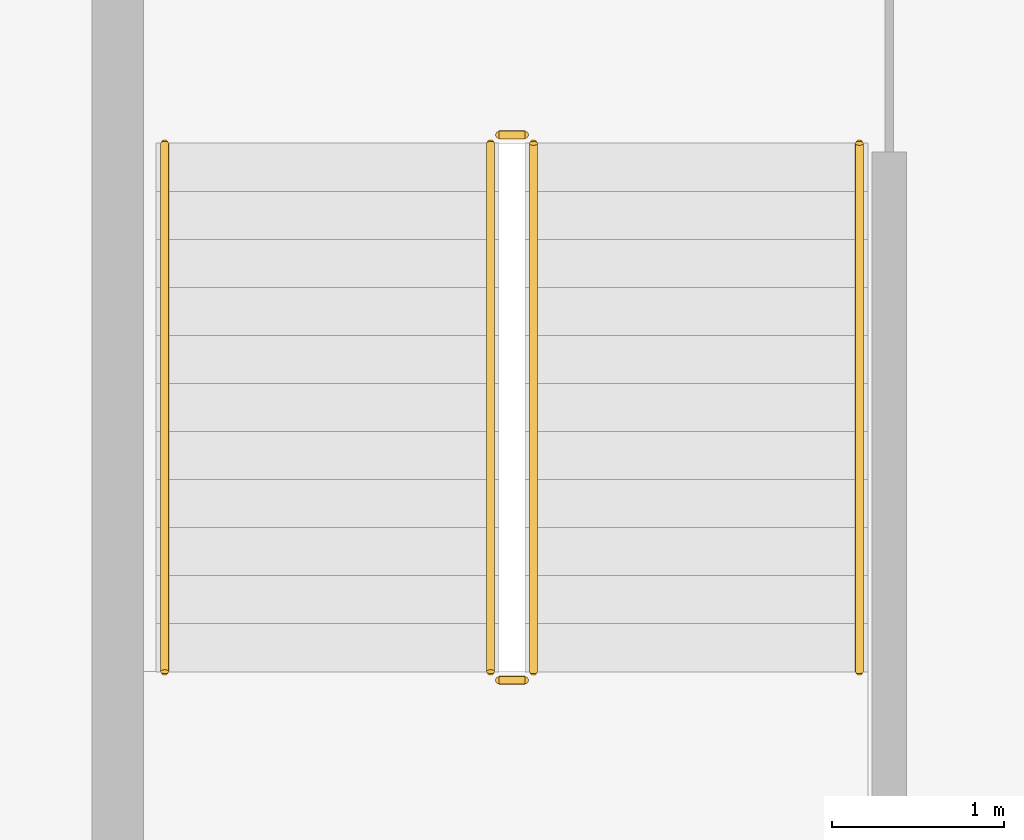
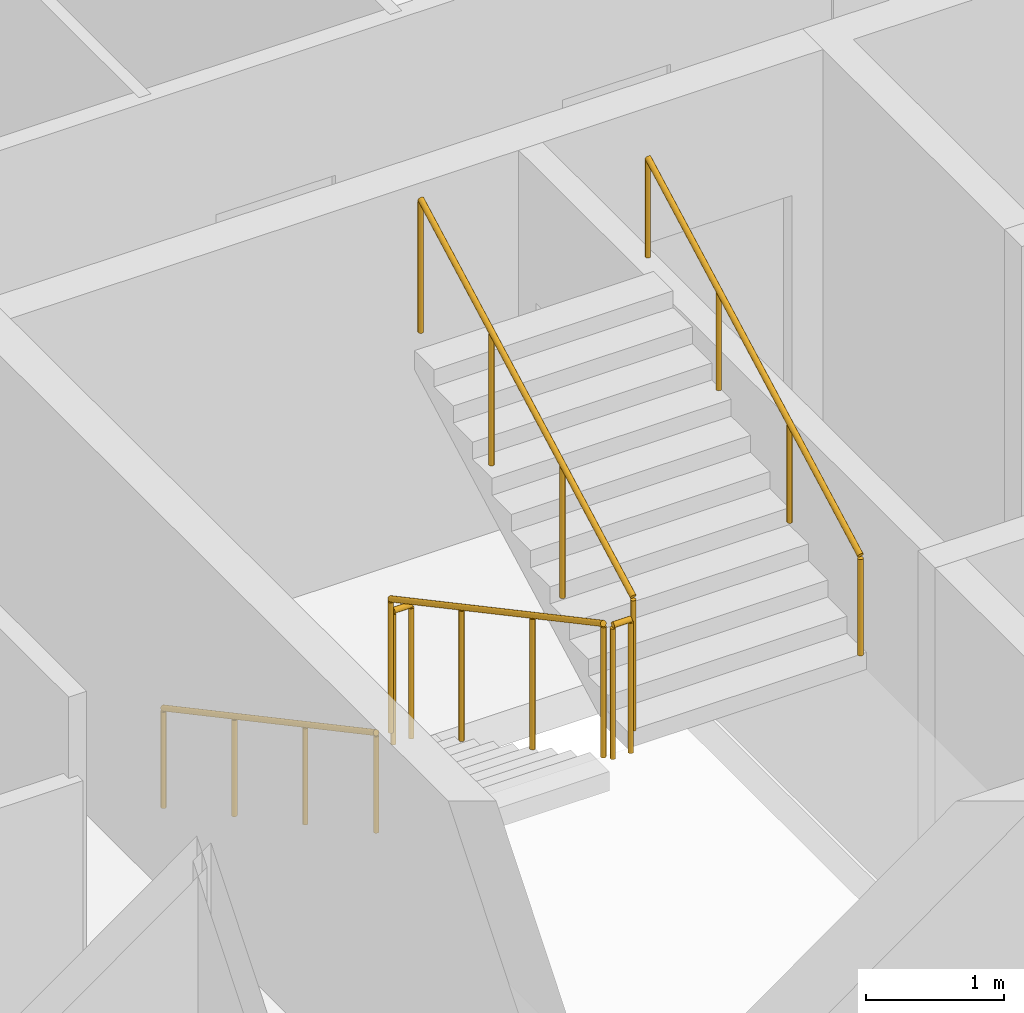
# One storey, part 12 of 14: 6 railings.
"""IFC4 building model written with IfcOpenShell, lengths in metres."""

from ifc_helpers import new_model, si_unit, direction, frame, origin, origin_2d, place, context, subcontext, project, spatial, circle, extrude, material, type_object, element, save


model = new_model("IFC4")

# Units and contexts
model_context = context("Model", 3, precision=1e-05, world=origin(), true_north=direction((0.0, 1.0)))
body_context = subcontext(model_context, "Body", "Model", "MODEL_VIEW")
ifc_project = project(units=[si_unit("LENGTHUNIT", "METRE"), si_unit("AREAUNIT", "SQUARE_METRE"), si_unit("VOLUMEUNIT", "CUBIC_METRE"), si_unit("PLANEANGLEUNIT", "RADIAN"), si_unit("MASSUNIT", "GRAM", prefix="KILO")], contexts=[model_context])

# Site, building, storey
site_placement = place(None, origin())
site = spatial("IfcSite", under=ifc_project, at=site_placement, CompositionType="ELEMENT")
building_placement = place(site_placement, origin())
building = spatial("IfcBuilding", under=site, at=building_placement, Name="Caravel Reach Hotel and Residences", CompositionType="ELEMENT")
storey_placement = place(building_placement, frame((0.0, 0.0, 67.199951171875)))
storey = spatial("IfcBuildingStorey", under=building, at=storey_placement, Name="L15", CompositionType="ELEMENT", Elevation=67.199951171875)

# Railings
ifc_material_1 = material(Name="Steel balustrade with glass infill", Category="steel")
railing_type_1 = type_object("IfcRailingType", Name="Guard 1200", PredefinedType="GUARDRAIL", material=ifc_material_1)
railing_1_placement = place(storey_placement, frame((20.175048828125, 29.35009765625, 0.150146484375)))
element("IfcRailing", 1, at=railing_1_placement, inside=storey, type_object=railing_type_1, Name="L15 ST-A stair guard 1", PredefinedType="GUARDRAIL", context=body_context, shape_type="SweptSolid", body=[
    extrude(circle(Radius=0.02392578125, at=origin_2d()), frame((0.0, 0.0, 1.17578125), z_axis=(0.0, -0.881496589024, 0.472190389079), x_axis=(1.0, 0.0, 0.0)), (0.0, 0.0, 1.0), 3.494140625),
    extrude(circle(Radius=0.02099609375, at=origin_2d()), origin(), (0.0, 0.0, 1.0), 1.15185546875),
    extrude(circle(Radius=0.02099609375, at=origin_2d()), frame((0.0, -1.026611328125, 0.550048828125)), (0.0, 0.0, 1.0), 1.15185546875),
    extrude(circle(Radius=0.02099609375, at=origin_2d()), frame((0.0, -2.053466796875, 1.099853515625)), (0.0, 0.0, 1.0), 1.15185546875),
    extrude(circle(Radius=0.02099609375, at=origin_2d()), frame((0.0, -3.080078125, 1.64990234375)), (0.0, 0.0, 1.0), 1.15185546875),
])
railing_2_placement = place(storey_placement, frame((20.22509765625, 26.219970703125, 1.800048828125)))
element("IfcRailing", 2, at=railing_2_placement, inside=storey, type_object=railing_type_1, Name="L15 ST-A stair guard 2", PredefinedType="GUARDRAIL", context=body_context, shape_type="SweptSolid", body=[
    extrude(circle(Radius=0.02392578125, at=origin_2d()), frame((0.0, 0.0, 1.17578125), z_axis=(1.0, 0.0, 0.0), x_axis=(0.0, 1.0, 0.0)), (0.0, 0.0, 1.0), 0.14990234375),
    extrude(circle(Radius=0.02099609375, at=origin_2d()), origin(), (0.0, 0.0, 1.0), 1.15185546875),
    extrude(circle(Radius=0.02099609375, at=origin_2d()), frame((0.14990234375, 0.0, 0.0)), (0.0, 0.0, 1.0), 1.15185546875),
])
railing_3_placement = place(storey_placement, frame((20.425048828125, 26.27001953125, 1.949951171875)))
element("IfcRailing", 3, at=railing_3_placement, inside=storey, type_object=railing_type_1, Name="L15 ST-A stair guard 3", PredefinedType="GUARDRAIL", context=body_context, shape_type="SweptSolid", body=[
    extrude(circle(Radius=0.02392578125, at=origin_2d()), frame((0.0, 0.0, 1.17578125), z_axis=(0.0, 0.881467505477, 0.472244678941), x_axis=(-1.0, 0.0, 0.0)), (0.0, 0.0, 1.0), 3.494140625),
    extrude(circle(Radius=0.02099609375, at=origin_2d()), origin(), (0.0, 0.0, 1.0), 1.15185546875),
    extrude(circle(Radius=0.02099609375, at=origin_2d()), frame((0.0, 1.026611328125, 0.550048828125)), (0.0, 0.0, 1.0), 1.15185546875),
    extrude(circle(Radius=0.02099609375, at=origin_2d()), frame((0.0, 2.053466796875, 1.10009765625)), (0.0, 0.0, 1.0), 1.15185546875),
    extrude(circle(Radius=0.02099609375, at=origin_2d()), frame((0.0, 3.080078125, 1.650146484375)), (0.0, 0.0, 1.0), 1.15185546875),
])
railing_4_placement = place(storey_placement, frame((20.22509765625, 29.39990234375, 0.0)))
element("IfcRailing", 4, at=railing_4_placement, inside=storey, type_object=railing_type_1, Name="L15 ST-A stair guard 4", PredefinedType="GUARDRAIL", context=body_context, shape_type="SweptSolid", body=[
    extrude(circle(Radius=0.02392578125, at=origin_2d()), frame((0.0, 0.0, 1.17578125), z_axis=(1.0, 0.0, 0.0), x_axis=(0.0, 1.0, 0.0)), (0.0, 0.0, 1.0), 0.14990234375),
    extrude(circle(Radius=0.02099609375, at=origin_2d()), origin(), (0.0, 0.0, 1.0), 1.15185546875),
    extrude(circle(Radius=0.02099609375, at=origin_2d()), frame((0.14990234375, 0.0, 0.0)), (0.0, 0.0, 1.0), 1.15185546875),
])
ifc_material_2 = material(Name="Stainless steel handrail", Category="steel")
railing_type_2 = type_object("IfcRailingType", Name="Handrail 900", PredefinedType="HANDRAIL", material=ifc_material_2)
railing_5_placement = place(storey_placement, frame((18.27490234375, 29.35009765625, 0.150146484375)))
element("IfcRailing", 5, at=railing_5_placement, inside=storey, type_object=railing_type_2, Name="L15 ST-A stair handrail 1", PredefinedType="HANDRAIL", context=body_context, shape_type="SweptSolid", body=[
    extrude(circle(Radius=0.02392578125, at=origin_2d()), frame((0.0, 0.0, 0.8759765625), z_axis=(0.0, -0.881496589024, 0.472190389079), x_axis=(1.0, 0.0, 0.0)), (0.0, 0.0, 1.0), 3.494140625),
    extrude(circle(Radius=0.02099609375, at=origin_2d()), origin(), (0.0, 0.0, 1.0), 0.851806640625),
    extrude(circle(Radius=0.02099609375, at=origin_2d()), frame((0.0, -1.026611328125, 0.550048828125)), (0.0, 0.0, 1.0), 0.851806640625),
    extrude(circle(Radius=0.02099609375, at=origin_2d()), frame((0.0, -2.053466796875, 1.099853515625)), (0.0, 0.0, 1.0), 0.851806640625),
    extrude(circle(Radius=0.02099609375, at=origin_2d()), frame((0.0, -3.080078125, 1.64990234375)), (0.0, 0.0, 1.0), 0.851806640625),
])
railing_6_placement = place(storey_placement, frame((22.324951171875, 26.27001953125, 1.949951171875)))
element("IfcRailing", 6, at=railing_6_placement, inside=storey, type_object=railing_type_2, Name="L15 ST-A stair handrail 2", PredefinedType="HANDRAIL", context=body_context, shape_type="SweptSolid", body=[
    extrude(circle(Radius=0.02392578125, at=origin_2d()), frame((0.0, 0.0, 0.8759765625), z_axis=(0.0, 0.881467505477, 0.472244678941), x_axis=(-1.0, 0.0, 0.0)), (0.0, 0.0, 1.0), 3.494140625),
    extrude(circle(Radius=0.02099609375, at=origin_2d()), origin(), (0.0, 0.0, 1.0), 0.851806640625),
    extrude(circle(Radius=0.02099609375, at=origin_2d()), frame((0.0, 1.026611328125, 0.550048828125)), (0.0, 0.0, 1.0), 0.851806640625),
    extrude(circle(Radius=0.02099609375, at=origin_2d()), frame((0.0, 2.053466796875, 1.10009765625)), (0.0, 0.0, 1.0), 0.851806640625),
    extrude(circle(Radius=0.02099609375, at=origin_2d()), frame((0.0, 3.080078125, 1.650146484375)), (0.0, 0.0, 1.0), 0.851806640625),
])

save(model, "model.ifc")
